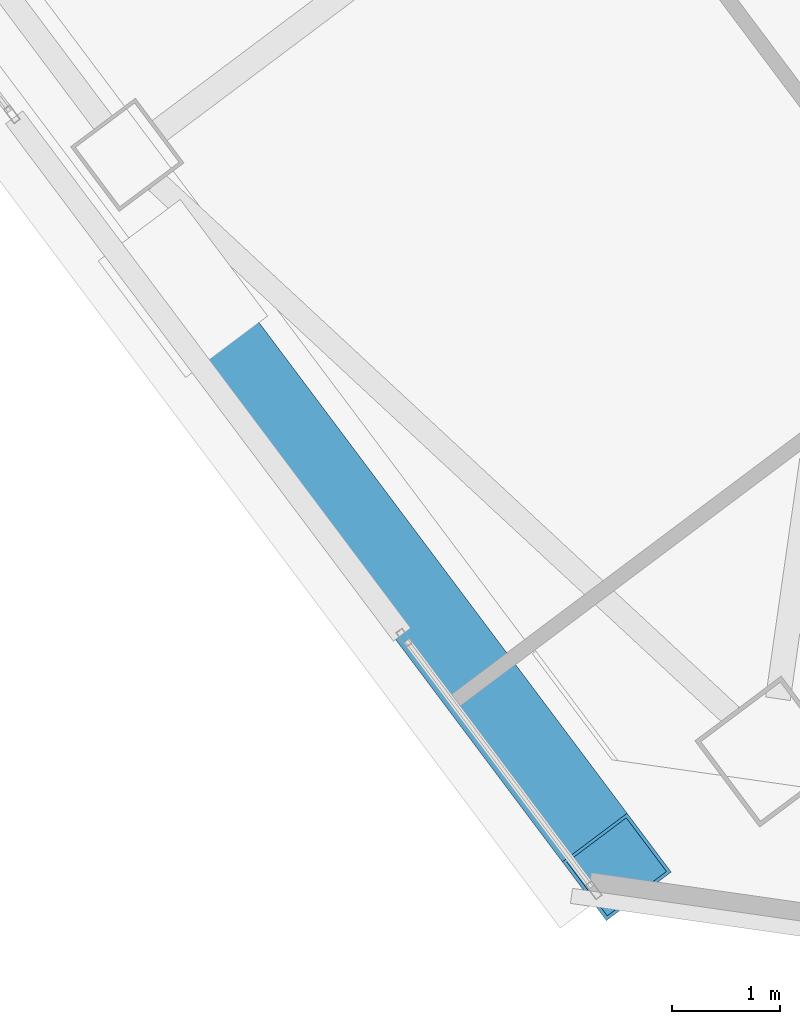
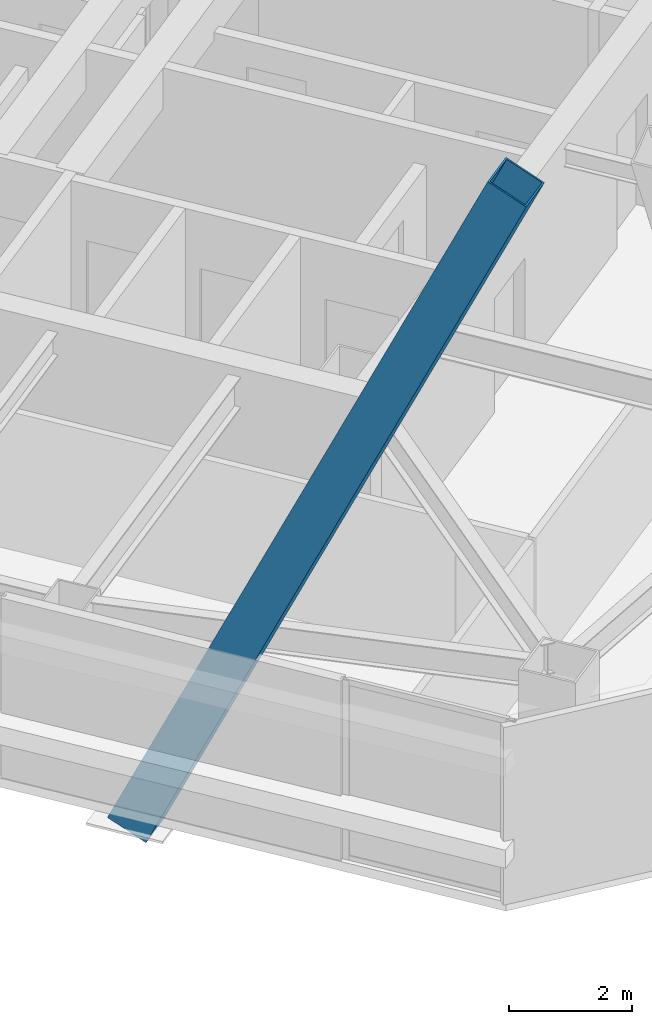
# One storey, part 27 of 56: 1 member.
"""IFC4 building model written with IfcOpenShell, lengths in metres."""

from ifc_helpers import new_model, si_unit, direction, frame, origin, origin_2d, place, context, subcontext, project, spatial, hollow_rectangle, extrude, material, material_profile, profile_set, type_object, element, save


model = new_model("IFC4")

# Units and contexts
model_context = context("Model", 3, precision=1e-05, world=origin(), true_north=direction((0.0, 1.0)))
body_context = subcontext(model_context, "Body", "Model", "MODEL_VIEW")
ifc_project = project(units=[si_unit("LENGTHUNIT", "METRE"), si_unit("AREAUNIT", "SQUARE_METRE"), si_unit("VOLUMEUNIT", "CUBIC_METRE"), si_unit("PLANEANGLEUNIT", "RADIAN"), si_unit("MASSUNIT", "GRAM", prefix="KILO")], contexts=[model_context])

# Site, building, storey
site_placement = place(None, origin())
site = spatial("IfcSite", under=ifc_project, at=site_placement, CompositionType="ELEMENT")
building_placement = place(site_placement, origin())
building = spatial("IfcBuilding", under=site, at=building_placement, Name="Tashvorn Skyway Center", CompositionType="ELEMENT")
storey_placement = place(building_placement, frame((0.0, 0.0, 218.39990234375)))
storey = spatial("IfcBuildingStorey", under=building, at=storey_placement, Name="L59", CompositionType="ELEMENT", Elevation=218.39990234375)

# Member
ifc_material = material(Name="Steel ASTM A572 Grade 50", Category="steel")
ifc_material_profile = material_profile(ifc_material, hollow_rectangle(XDim=0.75, YDim=0.75, WallThickness=0.031982421875, at=origin_2d()), Name="BOX750x750x32")
ifc_profile_set = profile_set([ifc_material_profile], Name="Steel ASTM A572 Grade 50")
member_type = type_object("IfcMemberType", Name="MEM-MB-750", PredefinedType="BRACE", material=ifc_profile_set)
member_placement = place(storey_placement, frame((105.8759765625, 17.531982421875, -0.449951171875), z_axis=(0.252821477132, -0.337085066741, 0.906893024828), x_axis=(0.799991254452, 0.600011660554, 0.0)))
element("IfcMember", 1, at=member_placement, inside=storey, type_object=member_type, Name="Tower 2 Zone 5 W Chevron Mega-Brace R2", PredefinedType="BRACE", context=body_context, shape_type="SweptSolid", body=[
    extrude(hollow_rectangle(XDim=0.75, YDim=0.75, WallThickness=0.031982421875, at=origin_2d()), origin(), (0.0, 0.0, 1.0), 15.900634765625),
])

save(model, "model.ifc")
